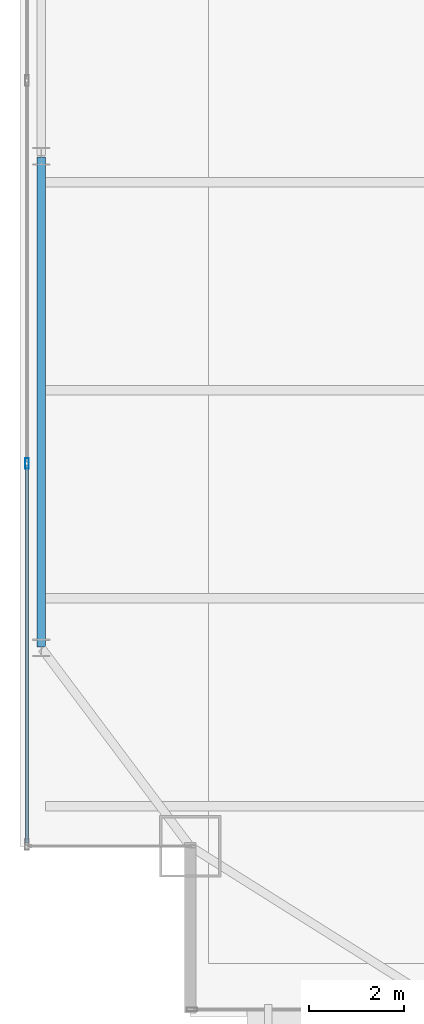
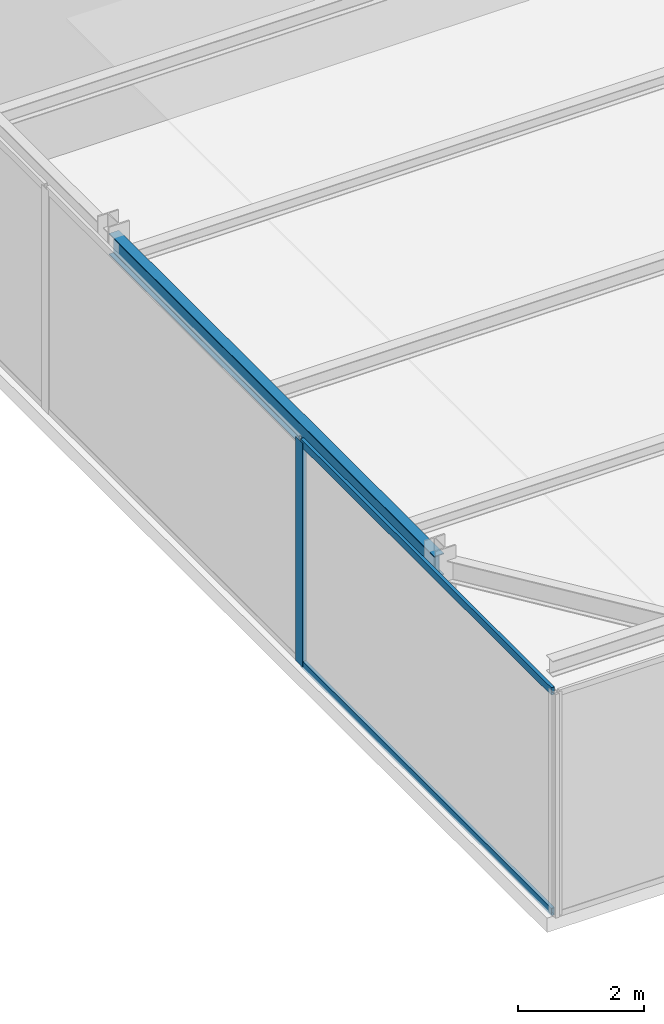
# One storey, part 6 of 25: 3 members, 1 beam, 1 element without a shape of its own.
"""IFC4 building model written with IfcOpenShell, lengths in metres."""

from ifc_helpers import new_model, si_unit, direction, frame, origin, origin_2d, place, context, subcontext, project, spatial, hollow_rectangle, i_section, extrude, source, transform, mapped, material, layer, layer_set, material_profile, profile_set, type_object, type_shapes, element, aggregate, save


model = new_model("IFC4")

# Units and contexts
model_context = context("Model", 3, precision=1e-05, world=origin(), true_north=direction((0.0, 1.0)))
body_context = subcontext(model_context, "Body", "Model", "MODEL_VIEW")
ifc_project = project(units=[si_unit("LENGTHUNIT", "METRE"), si_unit("AREAUNIT", "SQUARE_METRE"), si_unit("VOLUMEUNIT", "CUBIC_METRE"), si_unit("PLANEANGLEUNIT", "RADIAN"), si_unit("MASSUNIT", "GRAM", prefix="KILO")], contexts=[model_context])

# Site, building, storey
site_placement = place(None, origin())
site = spatial("IfcSite", under=ifc_project, at=site_placement, CompositionType="ELEMENT")
building_placement = place(site_placement, origin())
building = spatial("IfcBuilding", under=site, at=building_placement, Name="Varnel Quay Broadcast Tower", CompositionType="ELEMENT")
storey_placement = place(building_placement, frame((0.0, 0.0, 191.39990234375)))
storey = spatial("IfcBuildingStorey", under=building, at=storey_placement, Name="L47", CompositionType="ELEMENT", Elevation=191.39990234375)

# Beam
ifc_material_1 = material(Name="Structural Steel CSA G40.21 350W", Category="steel")
ifc_material_profile_1 = material_profile(ifc_material_1, i_section(OverallWidth=0.180908203125, OverallDepth=0.4169921875, WebThickness=0.010986328125, FlangeThickness=0.018310546875, FilletRadius=0.011962890625, at=origin_2d()), Name="W410X85")
ifc_profile_set_1 = profile_set([ifc_material_profile_1], Name="Structural Steel CSA G40.21 350W")
beam_type = type_object("IfcBeamType", Name="Beam_W410X85", PredefinedType="SPANDREL", material=ifc_profile_set_1)
shared_shape_1 = source(origin(), body_context, "Body", "SweptSolid", [
    extrude(i_section(OverallWidth=0.180908203125, OverallDepth=0.4169921875, WebThickness=0.010986328125, FlangeThickness=0.018310546875, FilletRadius=0.011962890625, at=origin_2d()), origin(), (0.0, 0.0, 1.0), 10.35986328125),
])
type_shapes(beam_type, [shared_shape_1])
beam_placement = place(storey_placement, frame((7.449951171875, 15.02001953125, 4.1416015625), z_axis=(0.0, 1.0, 0.0), x_axis=(-1.0, 0.0, 0.0)))
element("IfcBeam", 1, at=beam_placement, inside=storey, type_object=beam_type, Name="L47 West Spandrel TC-W1-TC-W2", PredefinedType="SPANDREL", context=body_context, shape_type="MappedRepresentation", body=[
    mapped(shared_shape_1, transform((0.0, 0.0, 0.0), x_axis=(1.0, 0.0, 0.0), y_axis=(0.0, 1.0, 0.0), z_axis=(0.0, 0.0, 1.0), scale=1.0)),
])

# Curtain wall, members
ifc_material_2 = material(Name="Anodised Bronze Aluminium 6063-T6", Category="aluminium")
ifc_layer = layer(ifc_material_2, 0.18994140625, Name="Anodised Bronze Aluminium 6063-T6")
ifc_layer_set = layer_set([ifc_layer], Name="Anodised Bronze Aluminium 6063-T6")
curtain_wall_type = type_object("IfcCurtainWallType", Name="CW_SkyObsHighVis", PredefinedType="NOTDEFINED", material=ifc_layer_set)
curtain_wall_placement = place(storey_placement, origin())
curtain_wall = element("IfcCurtainWall", 2, at=curtain_wall_placement, inside=storey, type_object=curtain_wall_type, Name="L47 West Unitised Curtain Wall", PredefinedType="NOTDEFINED")
ifc_material_profile_2 = material_profile(ifc_material_2, hollow_rectangle(XDim=0.074951171875, YDim=0.219970703125, WallThickness=0.00390625, at=origin_2d()), Name="ALU75X220X4")
ifc_profile_set_2 = profile_set([ifc_material_profile_2], Name="Anodised Bronze Aluminium 6063-T6")
member_type_1 = type_object("IfcMemberType", Name="Mull_CWS-05", PredefinedType="MULLION", material=ifc_profile_set_2)
shared_shape_2 = source(origin(), body_context, "Body", "SweptSolid", [
    extrude(hollow_rectangle(XDim=0.074951171875, YDim=0.219970703125, WallThickness=0.00390625, at=origin_2d()), origin(), (0.0, 0.0, 1.0), 4.35009765625),
])
type_shapes(member_type_1, [shared_shape_2])
member_1_placement = place(storey_placement, frame((7.14990234375, 18.89990234375, 0.0), z_axis=(0.0, 0.0, 1.0), x_axis=(-1.0, 0.0, 0.0)))
member_1 = element("IfcMember", 3, at=member_1_placement, type_object=member_type_1, Name="CWS-05 mullion 2", PredefinedType="MULLION", context=body_context, shape_type="MappedRepresentation", body=[
    mapped(shared_shape_2, transform((0.0, 0.0, 0.0), x_axis=(1.0, 0.0, 0.0), y_axis=(0.0, 1.0, 0.0), z_axis=(0.0, 0.0, 1.0), scale=1.0)),
])
ifc_material_profile_3 = material_profile(ifc_material_2, hollow_rectangle(XDim=0.06005859375, YDim=0.14501953125, WallThickness=0.00341796875, at=origin_2d()), Name="ALU60X145X3.5")
ifc_profile_set_3 = profile_set([ifc_material_profile_3], Name="Anodised Bronze Aluminium 6063-T6")
member_type_2 = type_object("IfcMemberType", Name="Tran_CWS-05", PredefinedType="USERDEFINED", material=ifc_profile_set_3)
shared_shape_3 = source(origin(), body_context, "Body", "SweptSolid", [
    extrude(hollow_rectangle(XDim=0.06005859375, YDim=0.14501953125, WallThickness=0.00341796875, at=origin_2d()), origin(), (0.0, 0.0, 1.0), 7.987548828125),
])
type_shapes(member_type_2, [shared_shape_3])
member_2_placement = place(storey_placement, frame((7.14990234375, 10.875, 0.030029296875), z_axis=(0.0, 1.0, 0.0), x_axis=(-1.0, 0.0, 0.0)))
member_2 = element("IfcMember", 4, at=member_2_placement, type_object=member_type_2, Name="CWS-05 transom 1.1", ObjectType="TRANSOM", PredefinedType="USERDEFINED", context=body_context, shape_type="MappedRepresentation", body=[
    mapped(shared_shape_3, transform((0.0, 0.0, 0.0), x_axis=(1.0, 0.0, 0.0), y_axis=(0.0, 1.0, 0.0), z_axis=(0.0, 0.0, 1.0), scale=1.0)),
])
member_3_placement = place(storey_placement, frame((7.14990234375, 10.875, 4.320068359375), z_axis=(0.0, 1.0, 0.0), x_axis=(-1.0, 0.0, 0.0)))
member_3 = element("IfcMember", 5, at=member_3_placement, type_object=member_type_2, Name="CWS-05 transom 1.2", ObjectType="TRANSOM", PredefinedType="USERDEFINED", context=body_context, shape_type="MappedRepresentation", body=[
    mapped(shared_shape_3, transform((0.0, 0.0, 0.0), x_axis=(1.0, 0.0, 0.0), y_axis=(0.0, 1.0, 0.0), z_axis=(0.0, 0.0, 1.0), scale=1.0)),
])
aggregate(curtain_wall, [member_1, member_2, member_3])

save(model, "model.ifc")
